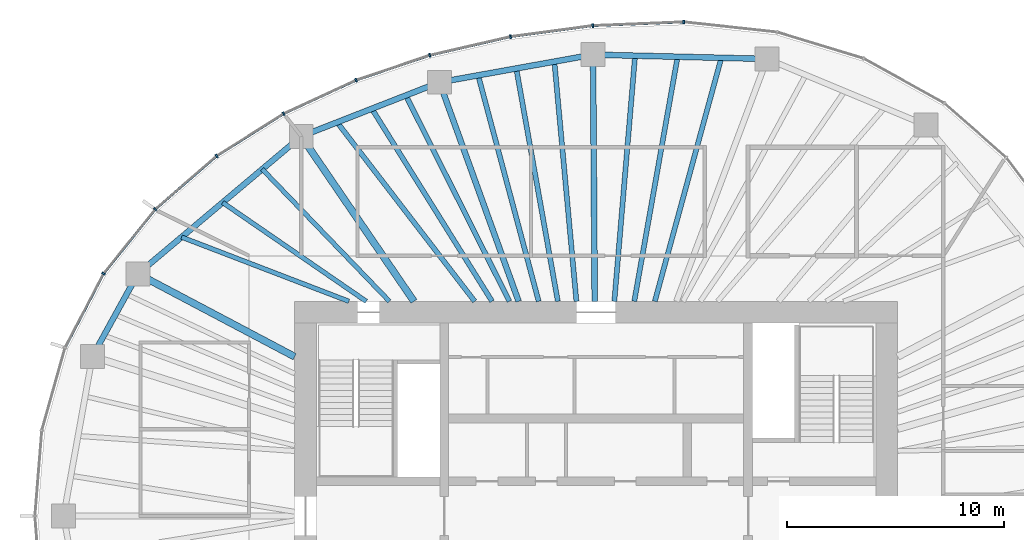
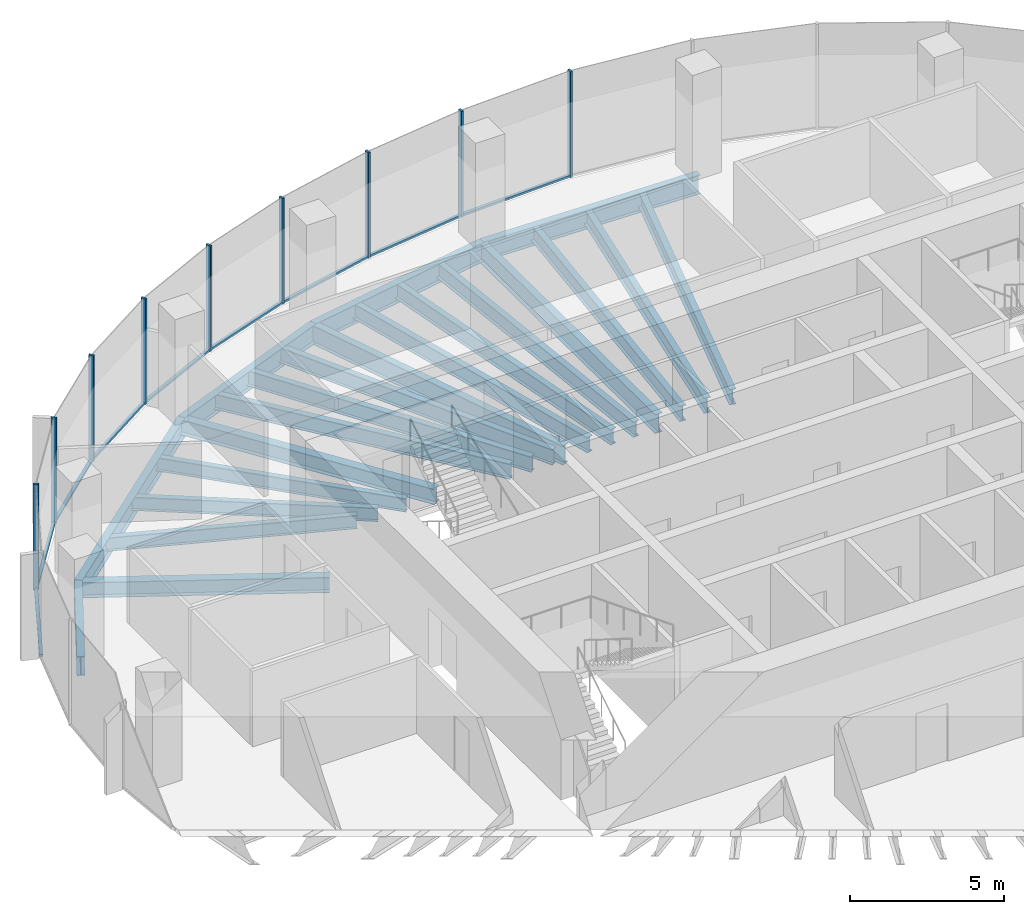
# One storey, part 5 of 12: 21 beams, 18 members, 5 elements without a shape of their own.
"""IFC4 building model written with IfcOpenShell, lengths in metres."""

from ifc_helpers import new_model, si_unit, direction, frame, origin, origin_2d, place, context, subcontext, project, spatial, rectangle, i_section, extrude, material, material_profile, profile_set, type_object, element, aggregate, save


model = new_model("IFC4")

# Units and contexts
model_context = context("Model", 3, precision=1e-05, world=origin(), true_north=direction((0.0, 1.0)))
body_context = subcontext(model_context, "Body", "Model", "MODEL_VIEW")
ifc_project = project(units=[si_unit("LENGTHUNIT", "METRE"), si_unit("AREAUNIT", "SQUARE_METRE"), si_unit("VOLUMEUNIT", "CUBIC_METRE"), si_unit("PLANEANGLEUNIT", "RADIAN"), si_unit("MASSUNIT", "GRAM", prefix="KILO")], contexts=[model_context])

# Site, building, storey
site_placement = place(None, origin())
site = spatial("IfcSite", under=ifc_project, at=site_placement, CompositionType="ELEMENT")
building_placement = place(site_placement, origin())
building = spatial("IfcBuilding", under=site, at=building_placement, Name="Ghaith Harvest Tower", CompositionType="ELEMENT")
storey_placement = place(building_placement, frame((0.0, 0.0, 296.39990234375)))
storey = spatial("IfcBuildingStorey", under=building, at=storey_placement, Name="L66", CompositionType="ELEMENT", Elevation=296.39990234375)

# Curtain wall, member
ifc_material_1 = material(Name="Black anodised aluminium and fritted glass", Category="aluminium")
curtain_wall_type = type_object("IfcCurtainWallType", Name="CW-T CURTAIN WALL", PredefinedType="NOTDEFINED", material=ifc_material_1)
curtain_wall_1_placement = place(storey_placement, origin())
curtain_wall_1 = element("IfcCurtainWall", 1, at=curtain_wall_1_placement, inside=storey, type_object=curtain_wall_type, Name="Curtain wall CW-T bay 05 L66", PredefinedType="NOTDEFINED")
ifc_material_2 = material(Name="Aluminium, black anodised", Category="aluminium")
ifc_material_profile_1 = material_profile(ifc_material_2, rectangle(XDim=0.080078125, YDim=0.179931640625, at=origin_2d()), Name="CW-T MULLION 80x180")
ifc_profile_set_1 = profile_set([ifc_material_profile_1], Name="Aluminium, black anodised")
member_type_1 = type_object("IfcMemberType", Name="CW-T MULLION 80x180", PredefinedType="MULLION", material=ifc_profile_set_1)
member_1_placement = place(storey_placement, frame((4.037841796875, 22.776611328125, 0.0), z_axis=(0.0, 0.0, 1.0), x_axis=(-0.999388631236, 0.034962319079, 0.0)))
member_1 = element("IfcMember", 2, at=member_1_placement, type_object=member_type_1, Name="CW-T mullion 2 bay 05 L66", PredefinedType="MULLION", context=body_context, shape_type="SweptSolid", body=[
    extrude(rectangle(XDim=0.080078125, YDim=0.179931640625, at=origin_2d()), origin(), (0.0, 0.0, 1.0), 4.2001953125),
])

# Curtain wall, members
curtain_wall_2_placement = place(storey_placement, origin())
curtain_wall_2 = element("IfcCurtainWall", 3, at=curtain_wall_2_placement, inside=storey, type_object=curtain_wall_type, Name="Curtain wall CW-T bay 06 L66", PredefinedType="NOTDEFINED")
member_2_placement = place(storey_placement, frame((-0.15478515625, 22.60595703125, 0.0), z_axis=(0.0, 0.0, 1.0), x_axis=(-0.996414855482, -0.084601629853, 0.0)))
member_2 = element("IfcMember", 4, at=member_2_placement, type_object=member_type_1, Name="CW-T mullion 1 bay 06 L66", PredefinedType="MULLION", context=body_context, shape_type="SweptSolid", body=[
    extrude(rectangle(XDim=0.080078125, YDim=0.179931640625, at=origin_2d()), origin(), (0.0, 0.0, 1.0), 4.2001953125),
])
member_3_placement = place(storey_placement, frame((-3.946533203125, 22.0986328125, 0.0), z_axis=(0.0, 0.0, 1.0), x_axis=(-0.983843447681, -0.179030920389, 0.0)))
member_3 = element("IfcMember", 5, at=member_3_placement, type_object=member_type_1, Name="CW-T mullion 2 bay 06 L66", PredefinedType="MULLION", context=body_context, shape_type="SweptSolid", body=[
    extrude(rectangle(XDim=0.080078125, YDim=0.179931640625, at=origin_2d()), origin(), (0.0, 0.0, 1.0), 4.2001953125),
])

curtain_wall_3_placement = place(storey_placement, origin())
curtain_wall_3 = element("IfcCurtainWall", 6, at=curtain_wall_3_placement, inside=storey, type_object=curtain_wall_type, Name="Curtain wall CW-T bay 07 L66", PredefinedType="NOTDEFINED")
member_4_placement = place(storey_placement, frame((-7.6708984375, 21.23828125, 0.0), z_axis=(0.0, 0.0, 1.0), x_axis=(-0.962552491436, -0.27109537294, 0.0)))
member_4 = element("IfcMember", 7, at=member_4_placement, type_object=member_type_1, Name="CW-T mullion 1 bay 07 L66", PredefinedType="MULLION", context=body_context, shape_type="SweptSolid", body=[
    extrude(rectangle(XDim=0.080078125, YDim=0.179931640625, at=origin_2d()), origin(), (0.0, 0.0, 1.0), 4.2001953125),
])
member_5_placement = place(storey_placement, frame((-11.0673828125, 20.093017578125, 0.0), z_axis=(0.0, 0.0, 1.0), x_axis=(-0.928624420706, -0.371021138573, 0.0)))
member_5 = element("IfcMember", 8, at=member_5_placement, type_object=member_type_1, Name="CW-T mullion 2 bay 07 L66", PredefinedType="MULLION", context=body_context, shape_type="SweptSolid", body=[
    extrude(rectangle(XDim=0.080078125, YDim=0.179931640625, at=origin_2d()), origin(), (0.0, 0.0, 1.0), 4.2001953125),
])

curtain_wall_4_placement = place(storey_placement, origin())
curtain_wall_4 = element("IfcCurtainWall", 9, at=curtain_wall_4_placement, inside=storey, type_object=curtain_wall_type, Name="Curtain wall CW-T bay 08 L66", PredefinedType="NOTDEFINED")
member_6_placement = place(storey_placement, frame((-14.40478515625, 18.5478515625, 0.0), z_axis=(0.0, 0.0, 1.0), x_axis=(-0.87867173244, -0.477426420101, 0.0)))
member_6 = element("IfcMember", 10, at=member_6_placement, type_object=member_type_1, Name="CW-T mullion 1 bay 08 L66", PredefinedType="MULLION", context=body_context, shape_type="SweptSolid", body=[
    extrude(rectangle(XDim=0.080078125, YDim=0.179931640625, at=origin_2d()), origin(), (0.0, 0.0, 1.0), 4.2001953125),
])
member_7_placement = place(storey_placement, frame((-17.49462890625, 16.600830078125, 0.0), z_axis=(0.0, 0.0, 1.0), x_axis=(-0.802189888678, -0.597068993084, 0.0)))
member_7 = element("IfcMember", 11, at=member_7_placement, type_object=member_type_1, Name="CW-T mullion 2 bay 08 L66", PredefinedType="MULLION", context=body_context, shape_type="SweptSolid", body=[
    extrude(rectangle(XDim=0.080078125, YDim=0.179931640625, at=origin_2d()), origin(), (0.0, 0.0, 1.0), 4.2001953125),
])

curtain_wall_5_placement = place(storey_placement, origin())
curtain_wall_5 = element("IfcCurtainWall", 12, at=curtain_wall_5_placement, inside=storey, type_object=curtain_wall_type, Name="Curtain wall CW-T bay 09 L66", PredefinedType="NOTDEFINED")
member_8_placement = place(storey_placement, frame((-20.324462890625, 14.141845703125, 0.0), z_axis=(0.0, 0.0, 1.0), x_axis=(-0.692826491995, -0.72110432809, 0.0)))
member_8 = element("IfcMember", 13, at=member_8_placement, type_object=member_type_1, Name="CW-T mullion 1 bay 09 L66", PredefinedType="MULLION", context=body_context, shape_type="SweptSolid", body=[
    extrude(rectangle(XDim=0.080078125, YDim=0.179931640625, at=origin_2d()), origin(), (0.0, 0.0, 1.0), 4.2001953125),
])
member_9_placement = place(storey_placement, frame((-22.706298828125, 11.176513671875, 0.0), z_axis=(0.0, 0.0, 1.0), x_axis=(-0.545865412621, -0.837872872997, 0.0)))
member_9 = element("IfcMember", 14, at=member_9_placement, type_object=member_type_1, Name="CW-T mullion 2 bay 09 L66", PredefinedType="MULLION", context=body_context, shape_type="SweptSolid", body=[
    extrude(rectangle(XDim=0.080078125, YDim=0.179931640625, at=origin_2d()), origin(), (0.0, 0.0, 1.0), 4.2001953125),
])

# Member
ifc_material_3 = material(Name="Aluminium, black anodised", Category="aluminium")
ifc_material_profile_2 = material_profile(ifc_material_3, rectangle(XDim=0.1201171875, YDim=0.080078125, at=origin_2d()), Name="CW-T TRANSOM 120x80")
ifc_profile_set_2 = profile_set([ifc_material_profile_2], Name="Aluminium, black anodised")
member_type_2 = type_object("IfcMemberType", Name="CW-T TRANSOM 120x80", PredefinedType="USERDEFINED", material=ifc_profile_set_2)
member_10_placement = place(storey_placement, frame((3.997802734375, 22.77490234375, 0.0400390625), z_axis=(-0.999174207562, -0.040631304968, 0.0), x_axis=(0.040631304968, -0.999174207562, 0.0)))
member_10 = element("IfcMember", 15, at=member_10_placement, type_object=member_type_2, Name="CW-T transom 2 bay 05 L66", ObjectType="TRANSOM", PredefinedType="USERDEFINED", context=body_context, shape_type="SweptSolid", body=[
    extrude(rectangle(XDim=0.1201171875, YDim=0.080078125, at=origin_2d()), origin(), (0.0, 0.0, 1.0), 4.115966796875),
])

aggregate(curtain_wall_1, [member_1, member_10])

member_11_placement = place(storey_placement, frame((-0.1943359375, 22.6005859375, 0.0400390625), z_axis=(-0.99117202259, -0.132582131655, 0.0), x_axis=(0.132582131655, -0.99117202259, 0.0)))
member_11 = element("IfcMember", 16, at=member_11_placement, type_object=member_type_2, Name="CW-T transom 1 bay 06 L66", ObjectType="TRANSOM", PredefinedType="USERDEFINED", context=body_context, shape_type="SweptSolid", body=[
    extrude(rectangle(XDim=0.1201171875, YDim=0.080078125, at=origin_2d()), origin(), (0.0, 0.0, 1.0), 3.745361328125),
])

member_12_placement = place(storey_placement, frame((-3.9853515625, 22.089599609375, 0.0400390625), z_axis=(-0.974344997799, -0.225059603803, 0.0), x_axis=(0.225059603803, -0.974344997799, 0.0)))
member_12 = element("IfcMember", 17, at=member_12_placement, type_object=member_type_2, Name="CW-T transom 2 bay 06 L66", ObjectType="TRANSOM", PredefinedType="USERDEFINED", context=body_context, shape_type="SweptSolid", body=[
    extrude(rectangle(XDim=0.1201171875, YDim=0.080078125, at=origin_2d()), origin(), (0.0, 0.0, 1.0), 3.742431640625),
])

aggregate(curtain_wall_2, [member_2, member_11, member_3, member_12])

member_13_placement = place(storey_placement, frame((-7.708740234375, 21.2255859375, 0.0400390625), z_axis=(-0.9475698206, -0.319548799228, 0.0), x_axis=(0.319548799228, -0.9475698206, 0.0)))
member_13 = element("IfcMember", 18, at=member_13_placement, type_object=member_type_2, Name="CW-T transom 1 bay 07 L66", ObjectType="TRANSOM", PredefinedType="USERDEFINED", context=body_context, shape_type="SweptSolid", body=[
    extrude(rectangle(XDim=0.1201171875, YDim=0.080078125, at=origin_2d()), origin(), (0.0, 0.0, 1.0), 3.504638671875),
])

member_14_placement = place(storey_placement, frame((-11.103759765625, 20.076171875, 0.0400390625), z_axis=(-0.907472177056, -0.420112184862, 0.0), x_axis=(0.420112184862, -0.907472177056, 0.0)))
member_14 = element("IfcMember", 19, at=member_14_placement, type_object=member_type_2, Name="CW-T transom 2 bay 07 L66", ObjectType="TRANSOM", PredefinedType="USERDEFINED", context=body_context, shape_type="SweptSolid", body=[
    extrude(rectangle(XDim=0.1201171875, YDim=0.080078125, at=origin_2d()), origin(), (0.0, 0.0, 1.0), 3.597900390625),
])

aggregate(curtain_wall_3, [member_4, member_13, member_5, member_14])

member_15_placement = place(storey_placement, frame((-14.438720703125, 18.5263671875, 0.0400390625), z_axis=(-0.846053602505, -0.533097835006, 0.0), x_axis=(0.533097835006, -0.846053602505, 0.0)))
member_15 = element("IfcMember", 20, at=member_15_placement, type_object=member_type_2, Name="CW-T transom 1 bay 08 L66", ObjectType="TRANSOM", PredefinedType="USERDEFINED", context=body_context, shape_type="SweptSolid", body=[
    extrude(rectangle(XDim=0.1201171875, YDim=0.080078125, at=origin_2d()), origin(), (0.0, 0.0, 1.0), 3.572021484375),
])

member_16_placement = place(storey_placement, frame((-17.52490234375, 16.574462890625, 0.0400390625), z_axis=(-0.754851889287, -0.65589528527, 0.0), x_axis=(0.65589528527, -0.754851889287, 0.0)))
member_16 = element("IfcMember", 21, at=member_16_placement, type_object=member_type_2, Name="CW-T transom 2 bay 08 L66", ObjectType="TRANSOM", PredefinedType="USERDEFINED", context=body_context, shape_type="SweptSolid", body=[
    extrude(rectangle(XDim=0.1201171875, YDim=0.080078125, at=origin_2d()), origin(), (0.0, 0.0, 1.0), 3.668701171875),
])

aggregate(curtain_wall_4, [member_6, member_15, member_7, member_16])

member_17_placement = place(storey_placement, frame((-20.349365234375, 14.110595703125, 0.0400390625), z_axis=(-0.626253073761, -0.779619835307, 0.0), x_axis=(0.779619835307, -0.626253073761, 0.0)))
member_17 = element("IfcMember", 22, at=member_17_placement, type_object=member_type_2, Name="CW-T transom 1 bay 09 L66", ObjectType="TRANSOM", PredefinedType="USERDEFINED", context=body_context, shape_type="SweptSolid", body=[
    extrude(rectangle(XDim=0.1201171875, YDim=0.080078125, at=origin_2d()), origin(), (0.0, 0.0, 1.0), 3.723388671875),
])

member_18_placement = place(storey_placement, frame((-22.724609375, 11.14111328125, 0.0400390625), z_axis=(-0.461242681347, -0.887274021317, 0.0), x_axis=(0.887274021317, -0.461242681347, 0.0)))
member_18 = element("IfcMember", 23, at=member_18_placement, type_object=member_type_2, Name="CW-T transom 2 bay 09 L66", ObjectType="TRANSOM", PredefinedType="USERDEFINED", context=body_context, shape_type="SweptSolid", body=[
    extrude(rectangle(XDim=0.1201171875, YDim=0.080078125, at=origin_2d()), origin(), (0.0, 0.0, 1.0), 3.77197265625),
])

aggregate(curtain_wall_5, [member_8, member_17, member_9, member_18])

# Beams
ifc_material_4 = material(Name="Steel ASTM A992 Grade 50", Category="steel")
ifc_material_profile_3 = material_profile(ifc_material_4, i_section(OverallWidth=0.26611328125, OverallDepth=0.758056640625, WebThickness=0.013916015625, FlangeThickness=0.019287109375, at=origin_2d()), Name="W760X161")
ifc_profile_set_3 = profile_set([ifc_material_profile_3], Name="Steel ASTM A992 Grade 50")
beam_type_1 = type_object("IfcBeamType", Name="E760-161 W760X161", PredefinedType="SPANDREL", material=ifc_profile_set_3)
beam_1_placement = place(storey_placement, frame((7.8779296875, 21.072021484375, -0.548828125), z_axis=(-0.999692679676, 0.024790042413, 0.0), x_axis=(-0.024790042413, -0.999692679676, 0.0)))
element("IfcBeam", 24, at=beam_1_placement, inside=storey, type_object=beam_type_1, Name="Edge beam E05 L66", PredefinedType="SPANDREL", context=body_context, shape_type="SweptSolid", body=[
    extrude(i_section(OverallWidth=0.26611328125, OverallDepth=0.758056640625, WebThickness=0.013916015625, FlangeThickness=0.019287109375, at=origin_2d()), origin(), (0.0, 0.0, 1.0), 8.0263671875),
])
beam_2_placement = place(storey_placement, frame((-0.14599609375, 21.27099609375, -0.548828125), z_axis=(-0.984177047684, -0.177187863051, 0.0), x_axis=(0.177187863051, -0.984177047684, 0.0)))
element("IfcBeam", 25, at=beam_2_placement, inside=storey, type_object=beam_type_1, Name="Edge beam E06 L66", PredefinedType="SPANDREL", context=body_context, shape_type="SweptSolid", body=[
    extrude(i_section(OverallWidth=0.26611328125, OverallDepth=0.758056640625, WebThickness=0.013916015625, FlangeThickness=0.019287109375, at=origin_2d()), origin(), (0.0, 0.0, 1.0), 7.189697265625),
])
beam_3_placement = place(storey_placement, frame((-7.221923828125, 19.9970703125, -0.548828125), z_axis=(-0.931322768207, -0.364194867371, 0.0), x_axis=(0.364194867371, -0.931322768207, 0.0)))
element("IfcBeam", 26, at=beam_3_placement, inside=storey, type_object=beam_type_1, Name="Edge beam E07 L66", PredefinedType="SPANDREL", context=body_context, shape_type="SweptSolid", body=[
    extrude(i_section(OverallWidth=0.26611328125, OverallDepth=0.758056640625, WebThickness=0.013916015625, FlangeThickness=0.019287109375, at=origin_2d()), origin(), (0.0, 0.0, 1.0), 6.843017578125),
])
beam_4_placement = place(storey_placement, frame((-13.594970703125, 17.5048828125, -0.548828125), z_axis=(-0.765021818761, -0.64400436087, 0.0), x_axis=(0.64400436087, -0.765021818761, 0.0)))
element("IfcBeam", 27, at=beam_4_placement, inside=storey, type_object=beam_type_1, Name="Edge beam E08 L66", PredefinedType="SPANDREL", context=body_context, shape_type="SweptSolid", body=[
    extrude(i_section(OverallWidth=0.26611328125, OverallDepth=0.758056640625, WebThickness=0.013916015625, FlangeThickness=0.019287109375, at=origin_2d()), origin(), (0.0, 0.0, 1.0), 9.8427734375),
])
beam_5_placement = place(storey_placement, frame((-21.125, 11.166015625, -0.548828125), z_axis=(-0.482955575345, -0.875644855089, 0.0), x_axis=(0.875644855089, -0.482955575345, 0.0)))
element("IfcBeam", 28, at=beam_5_placement, inside=storey, type_object=beam_type_1, Name="Edge beam E09 L66", PredefinedType="SPANDREL", context=body_context, shape_type="SweptSolid", body=[
    extrude(i_section(OverallWidth=0.26611328125, OverallDepth=0.758056640625, WebThickness=0.013916015625, FlangeThickness=0.019287109375, at=origin_2d()), origin(), (0.0, 0.0, 1.0), 4.346435546875),
])
ifc_material_5 = material(Name="Steel ASTM A992 Grade 50", Category="steel")
ifc_material_profile_4 = material_profile(ifc_material_5, i_section(OverallWidth=0.323974609375, OverallDepth=0.611083984375, WebThickness=0.0126953125, FlangeThickness=0.01904296875, at=origin_2d()), Name="W610X155")
ifc_profile_set_4 = profile_set([ifc_material_profile_4], Name="Steel ASTM A992 Grade 50")
beam_type_2 = type_object("IfcBeamType", Name="G610-155 W610X155", PredefinedType="BEAM", material=ifc_profile_set_4)
beam_6_placement = place(storey_placement, frame((-8.39990234375, 9.89990234375, -0.475341796875), z_axis=(-0.564067018201, 0.825729010619, 0.0), x_axis=(-0.825729010619, -0.564067018201, 0.0)))
element("IfcBeam", 29, at=beam_6_placement, inside=storey, type_object=beam_type_2, Name="Radial girder G08 L66", PredefinedType="BEAM", context=body_context, shape_type="SweptSolid", body=[
    extrude(i_section(OverallWidth=0.323974609375, OverallDepth=0.611083984375, WebThickness=0.0126953125, FlangeThickness=0.01904296875, at=origin_2d()), origin(), (0.0, 0.0, 1.0), 9.2099609375),
])
beam_7_placement = place(storey_placement, frame((-13.89990234375, 7.34716796875, -0.475341796875), z_axis=(-0.88410164037, 0.467294649546, 0.0), x_axis=(-0.467294649546, -0.88410164037, 0.0)))
element("IfcBeam", 30, at=beam_7_placement, inside=storey, type_object=beam_type_2, Name="Radial girder G09 L66", PredefinedType="BEAM", context=body_context, shape_type="SweptSolid", body=[
    extrude(i_section(OverallWidth=0.323974609375, OverallDepth=0.611083984375, WebThickness=0.0126953125, FlangeThickness=0.01904296875, at=origin_2d()), origin(), (0.0, 0.0, 1.0), 8.17236328125),
])
ifc_material_6 = material(Name="Steel ASTM A992 Grade 50", Category="steel")
ifc_material_profile_5 = material_profile(ifc_material_6, i_section(OverallWidth=0.26611328125, OverallDepth=0.758056640625, WebThickness=0.013916015625, FlangeThickness=0.019287109375, at=origin_2d()), Name="W760X161")
ifc_profile_set_5 = profile_set([ifc_material_profile_5], Name="Steel ASTM A992 Grade 50")
beam_type_3 = type_object("IfcBeamType", Name="G760-161 W760X161", PredefinedType="BEAM", material=ifc_profile_set_5)
beam_8_placement = place(storey_placement, frame((-0.06787109375, 9.89990234375, -0.548828125), z_axis=(-0.00687032909, 0.999976399011, 0.0), x_axis=(-0.999976399011, -0.00687032909, 0.0)))
element("IfcBeam", 31, at=beam_8_placement, inside=storey, type_object=beam_type_3, Name="Radial girder G06 L66", PredefinedType="BEAM", context=body_context, shape_type="SweptSolid", body=[
    extrude(i_section(OverallWidth=0.26611328125, OverallDepth=0.758056640625, WebThickness=0.013916015625, FlangeThickness=0.019287109375, at=origin_2d()), origin(), (0.0, 0.0, 1.0), 11.371337890625),
])
beam_9_placement = place(storey_placement, frame((-3.57568359375, 9.89990234375, -0.548828125), z_axis=(-0.339647816823, 0.940552688863, 0.0), x_axis=(-0.940552688863, -0.339647816823, 0.0)))
element("IfcBeam", 32, at=beam_9_placement, inside=storey, type_object=beam_type_3, Name="Radial girder G07 L66", PredefinedType="BEAM", context=body_context, shape_type="SweptSolid", body=[
    extrude(i_section(OverallWidth=0.26611328125, OverallDepth=0.758056640625, WebThickness=0.013916015625, FlangeThickness=0.019287109375, at=origin_2d()), origin(), (0.0, 0.0, 1.0), 10.7353515625),
])
ifc_material_7 = material(Name="Steel ASTM A992 Grade 50", Category="steel")
ifc_material_profile_6 = material_profile(ifc_material_7, i_section(OverallWidth=0.2109375, OverallDepth=0.5390625, WebThickness=0.01171875, FlangeThickness=0.018798828125, at=origin_2d()), Name="W530X109")
ifc_profile_set_6 = profile_set([ifc_material_profile_6], Name="Steel ASTM A992 Grade 50")
beam_type_4 = type_object("IfcBeamType", Name="J530-109 W530X109", PredefinedType="JOIST", material=ifc_profile_set_6)
beam_10_placement = place(storey_placement, frame((-9.530517578125, 9.89990234375, -0.439453125), z_axis=(-0.693536238632, 0.720421741554, 0.0), x_axis=(-0.720421741554, -0.693536238632, 0.0)))
element("IfcBeam", 33, at=beam_10_placement, inside=storey, type_object=beam_type_4, Name="Joist J08.1 L66", PredefinedType="JOIST", context=body_context, shape_type="SweptSolid", body=[
    extrude(i_section(OverallWidth=0.2109375, OverallDepth=0.5390625, WebThickness=0.01171875, FlangeThickness=0.018798828125, at=origin_2d()), origin(), (0.0, 0.0, 1.0), 8.4541015625),
])
beam_11_placement = place(storey_placement, frame((-10.60009765625, 9.89990234375, -0.439453125), z_axis=(-0.823778502511, 0.566911791023, 0.0), x_axis=(-0.566911791023, -0.823778502511, 0.0)))
element("IfcBeam", 34, at=beam_11_placement, inside=storey, type_object=beam_type_4, Name="Joist J08.2 L66", PredefinedType="JOIST", context=body_context, shape_type="SweptSolid", body=[
    extrude(i_section(OverallWidth=0.2109375, OverallDepth=0.5390625, WebThickness=0.01171875, FlangeThickness=0.018798828125, at=origin_2d()), origin(), (0.0, 0.0, 1.0), 8.0341796875),
])
beam_12_placement = place(storey_placement, frame((-11.39990234375, 9.89990234375, -0.439453125), z_axis=(-0.933583045329, 0.358361127181, 0.0), x_axis=(-0.358361127181, -0.933583045329, 0.0)))
element("IfcBeam", 35, at=beam_12_placement, inside=storey, type_object=beam_type_4, Name="Joist J08.3 L66", PredefinedType="JOIST", context=body_context, shape_type="SweptSolid", body=[
    extrude(i_section(OverallWidth=0.2109375, OverallDepth=0.5390625, WebThickness=0.01171875, FlangeThickness=0.018798828125, at=origin_2d()), origin(), (0.0, 0.0, 1.0), 8.260986328125),
])
ifc_material_8 = material(Name="Steel ASTM A992 Grade 50", Category="steel")
ifc_material_profile_7 = material_profile(ifc_material_8, i_section(OverallWidth=0.22998046875, OverallDepth=0.616943359375, WebThickness=0.01318359375, FlangeThickness=0.022216796875, at=origin_2d()), Name="W610X140")
ifc_profile_set_7 = profile_set([ifc_material_profile_7], Name="Steel ASTM A992 Grade 50")
beam_type_5 = type_object("IfcBeamType", Name="J610-140 W610X140", PredefinedType="JOIST", material=ifc_profile_set_7)
beam_13_placement = place(storey_placement, frame((2.70361328125, 9.89990234375, -0.478515625), z_axis=(0.263456499314, 0.964671277156, 0.0), x_axis=(-0.964671277156, 0.263456499314, 0.0)))
element("IfcBeam", 36, at=beam_13_placement, inside=storey, type_object=beam_type_5, Name="Joist J05.1 L66", PredefinedType="JOIST", context=body_context, shape_type="SweptSolid", body=[
    extrude(i_section(OverallWidth=0.22998046875, OverallDepth=0.616943359375, WebThickness=0.01318359375, FlangeThickness=0.022216796875, at=origin_2d()), origin(), (0.0, 0.0, 1.0), 11.635498046875),
])
beam_14_placement = place(storey_placement, frame((1.7548828125, 9.89990234375, -0.478515625), z_axis=(0.174562528022, 0.984646090639, 0.0), x_axis=(-0.984646090639, 0.174562528022, 0.0)))
element("IfcBeam", 37, at=beam_14_placement, inside=storey, type_object=beam_type_5, Name="Joist J05.2 L66", PredefinedType="JOIST", context=body_context, shape_type="SweptSolid", body=[
    extrude(i_section(OverallWidth=0.22998046875, OverallDepth=0.616943359375, WebThickness=0.01318359375, FlangeThickness=0.022216796875, at=origin_2d()), origin(), (0.0, 0.0, 1.0), 11.4501953125),
])
beam_15_placement = place(storey_placement, frame((0.836669921875, 9.89990234375, -0.478515625), z_axis=(0.084199386432, 0.996448926601, 0.0), x_axis=(-0.996448926601, 0.084199386432, 0.0)))
element("IfcBeam", 38, at=beam_15_placement, inside=storey, type_object=beam_type_5, Name="Joist J05.3 L66", PredefinedType="JOIST", context=body_context, shape_type="SweptSolid", body=[
    extrude(i_section(OverallWidth=0.22998046875, OverallDepth=0.616943359375, WebThickness=0.01318359375, FlangeThickness=0.022216796875, at=origin_2d()), origin(), (0.0, 0.0, 1.0), 11.36328125),
])
beam_16_placement = place(storey_placement, frame((-0.9111328125, 9.89990234375, -0.478515625), z_axis=(-0.091654473201, 0.995790870385, 0.0), x_axis=(-0.995790870385, -0.091654473201, 0.0)))
element("IfcBeam", 39, at=beam_16_placement, inside=storey, type_object=beam_type_5, Name="Joist J06.1 L66", PredefinedType="JOIST", context=body_context, shape_type="SweptSolid", body=[
    extrude(i_section(OverallWidth=0.22998046875, OverallDepth=0.616943359375, WebThickness=0.01318359375, FlangeThickness=0.022216796875, at=origin_2d()), origin(), (0.0, 0.0, 1.0), 11.096923828125),
])
beam_17_placement = place(storey_placement, frame((-1.76806640625, 9.89990234375, -0.478515625), z_axis=(-0.175789088574, 0.984427852277, 0.0), x_axis=(-0.984427852277, -0.175789088574, 0.0)))
element("IfcBeam", 40, at=beam_17_placement, inside=storey, type_object=beam_type_5, Name="Joist J06.2 L66", PredefinedType="JOIST", context=body_context, shape_type="SweptSolid", body=[
    extrude(i_section(OverallWidth=0.22998046875, OverallDepth=0.616943359375, WebThickness=0.01318359375, FlangeThickness=0.022216796875, at=origin_2d()), origin(), (0.0, 0.0, 1.0), 10.903564453125),
])
beam_18_placement = place(storey_placement, frame((-2.651123046875, 9.89990234375, -0.478515625), z_axis=(-0.258678376387, 0.96596350738, 0.0), x_axis=(-0.96596350738, -0.258678376387, 0.0)))
element("IfcBeam", 41, at=beam_18_placement, inside=storey, type_object=beam_type_5, Name="Joist J06.3 L66", PredefinedType="JOIST", context=body_context, shape_type="SweptSolid", body=[
    extrude(i_section(OverallWidth=0.22998046875, OverallDepth=0.616943359375, WebThickness=0.01318359375, FlangeThickness=0.022216796875, at=origin_2d()), origin(), (0.0, 0.0, 1.0), 10.784912109375),
])
beam_19_placement = place(storey_placement, frame((-4.0, 9.89990234375, -0.478515625), z_axis=(-0.449556131123, 0.893252083664, 0.0), x_axis=(-0.893252083664, -0.449556131123, 0.0)))
element("IfcBeam", 42, at=beam_19_placement, inside=storey, type_object=beam_type_5, Name="Joist J07.1 L66", PredefinedType="JOIST", context=body_context, shape_type="SweptSolid", body=[
    extrude(i_section(OverallWidth=0.22998046875, OverallDepth=0.616943359375, WebThickness=0.01318359375, FlangeThickness=0.022216796875, at=origin_2d()), origin(), (0.0, 0.0, 1.0), 10.62353515625),
])
beam_20_placement = place(storey_placement, frame((-4.800048828125, 9.89990234375, -0.478515625), z_axis=(-0.529596254905, 0.848249849273, 0.0), x_axis=(-0.848249849273, -0.529596254905, 0.0)))
element("IfcBeam", 43, at=beam_20_placement, inside=storey, type_object=beam_type_5, Name="Joist J07.2 L66", PredefinedType="JOIST", context=body_context, shape_type="SweptSolid", body=[
    extrude(i_section(OverallWidth=0.22998046875, OverallDepth=0.616943359375, WebThickness=0.01318359375, FlangeThickness=0.022216796875, at=origin_2d()), origin(), (0.0, 0.0, 1.0), 10.465087890625),
])
beam_21_placement = place(storey_placement, frame((-5.60009765625, 9.89990234375, -0.478515625), z_axis=(-0.609353577926, 0.792898617144, 0.0), x_axis=(-0.792898617144, -0.609353577926, 0.0)))
element("IfcBeam", 44, at=beam_21_placement, inside=storey, type_object=beam_type_5, Name="Joist J07.3 L66", PredefinedType="JOIST", context=body_context, shape_type="SweptSolid", body=[
    extrude(i_section(OverallWidth=0.22998046875, OverallDepth=0.616943359375, WebThickness=0.01318359375, FlangeThickness=0.022216796875, at=origin_2d()), origin(), (0.0, 0.0, 1.0), 10.406982421875),
])

save(model, "model.ifc")
